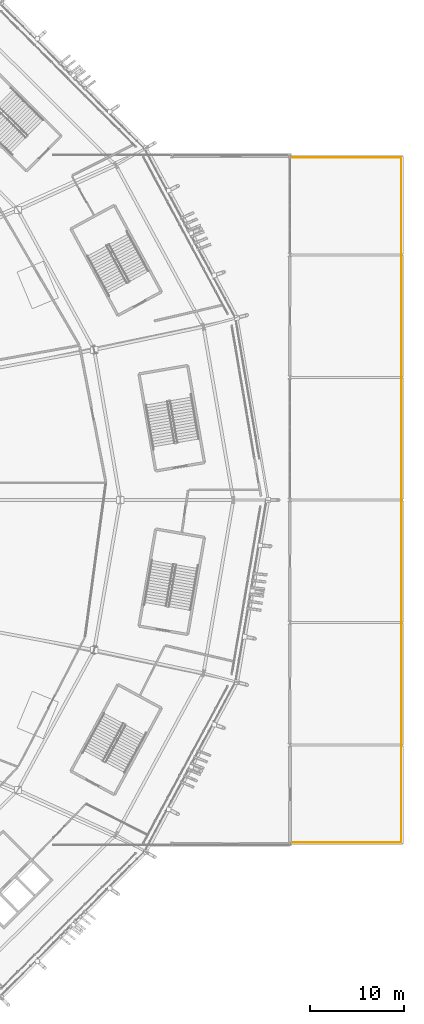
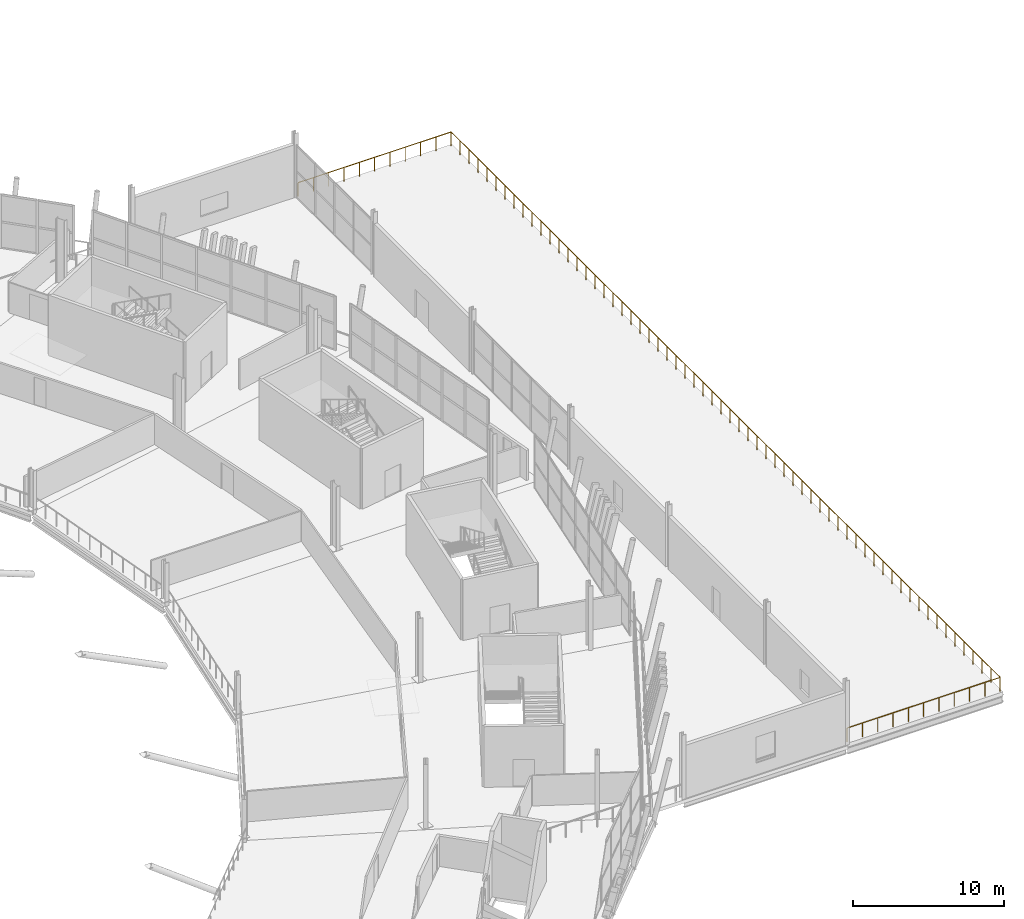
# One storey, part 160 of 168: 1 railing.
"""IFC4 building model written with IfcOpenShell, lengths in metres."""

from ifc_helpers import new_model, si_unit, direction, frame, origin, origin_2d, place, context, subcontext, project, spatial, rectangle, extrude, material, type_object, element, save


model = new_model("IFC4")

# Units and contexts
model_context = context("Model", 3, precision=1e-05, world=origin(), true_north=direction((0.0, 1.0)))
body_context = subcontext(model_context, "Body", "Model", "MODEL_VIEW")
ifc_project = project(units=[si_unit("LENGTHUNIT", "METRE"), si_unit("AREAUNIT", "SQUARE_METRE"), si_unit("VOLUMEUNIT", "CUBIC_METRE"), si_unit("PLANEANGLEUNIT", "RADIAN"), si_unit("MASSUNIT", "GRAM", prefix="KILO")], contexts=[model_context])

# Site, building, storey
site_placement = place(None, origin())
site = spatial("IfcSite", under=ifc_project, at=site_placement, CompositionType="ELEMENT")
building_placement = place(site_placement, origin())
building = spatial("IfcBuilding", under=site, at=building_placement, Name="Zlatoyarsky Gate Stadium", CompositionType="ELEMENT")
storey_placement = place(building_placement, frame((0.0, 0.0, 15.60009765625)))
storey = spatial("IfcBuildingStorey", under=building, at=storey_placement, Name="L03", CompositionType="ELEMENT", Elevation=15.60009765625)

# Railing
ifc_material = material(Name="Laminated safety glass and stainless steel balustrade", Category="steel")
railing_type = type_object("IfcRailingType", Name="LAMINATED GLASS AND STEEL TERRACE BALUSTRADE 1150", PredefinedType="BALUSTRADE", material=ifc_material)
railing_placement = place(storey_placement, frame((210.14990234375, 43.64990234375, 0.0)))
element("IfcRailing", 1, at=railing_placement, inside=storey, type_object=railing_type, Name="East L03 roof terrace perimeter balustrade", PredefinedType="BALUSTRADE", context=body_context, shape_type="SweptSolid", body=[
    extrude(rectangle(XDim=0.048095703125, YDim=0.048095703125, at=origin_2d()), frame((0.0, 0.0, 1.1259765625), z_axis=(1.0, 0.0, 0.0), x_axis=(0.0, 1.0, 0.0)), (0.0, 0.0, 1.0), 11.7001953125),
    extrude(rectangle(XDim=0.048095703125, YDim=0.048095703125, at=origin_2d()), frame((11.7001953125, 0.0, 1.1259765625), z_axis=(0.0, 1.0, 0.0), x_axis=(-1.0, 0.0, 0.0)), (0.0, 0.0, 1.0), 72.7001953125),
    extrude(rectangle(XDim=0.048095703125, YDim=0.048095703125, at=origin_2d()), frame((11.7001953125, 72.7001953125, 1.1259765625), z_axis=(-1.0, 0.0, 0.0), x_axis=(0.0, -1.0, 0.0)), (0.0, 0.0, 1.0), 11.7001953125),
    extrude(rectangle(XDim=0.0419921875, YDim=0.0419921875, at=origin_2d()), origin(), (0.0, 0.0, 1.0), 1.101806640625),
    extrude(rectangle(XDim=0.0419921875, YDim=0.0419921875, at=origin_2d()), frame((1.169921875, 0.0, 0.0)), (0.0, 0.0, 1.0), 1.101806640625),
    extrude(rectangle(XDim=0.0419921875, YDim=0.0419921875, at=origin_2d()), frame((2.340087890625, 0.0, 0.0)), (0.0, 0.0, 1.0), 1.101806640625),
    extrude(rectangle(XDim=0.0419921875, YDim=0.0419921875, at=origin_2d()), frame((3.510009765625, 0.0, 0.0)), (0.0, 0.0, 1.0), 1.101806640625),
    extrude(rectangle(XDim=0.0419921875, YDim=0.0419921875, at=origin_2d()), frame((4.68017578125, 0.0, 0.0)), (0.0, 0.0, 1.0), 1.101806640625),
    extrude(rectangle(XDim=0.0419921875, YDim=0.0419921875, at=origin_2d()), frame((5.85009765625, 0.0, 0.0)), (0.0, 0.0, 1.0), 1.101806640625),
    extrude(rectangle(XDim=0.0419921875, YDim=0.0419921875, at=origin_2d()), frame((7.02001953125, 0.0, 0.0)), (0.0, 0.0, 1.0), 1.101806640625),
    extrude(rectangle(XDim=0.0419921875, YDim=0.0419921875, at=origin_2d()), frame((8.190185546875, 0.0, 0.0)), (0.0, 0.0, 1.0), 1.101806640625),
    extrude(rectangle(XDim=0.0419921875, YDim=0.0419921875, at=origin_2d()), frame((9.360107421875, 0.0, 0.0)), (0.0, 0.0, 1.0), 1.101806640625),
    extrude(rectangle(XDim=0.0419921875, YDim=0.0419921875, at=origin_2d()), frame((10.5302734375, 0.0, 0.0)), (0.0, 0.0, 1.0), 1.101806640625),
    extrude(rectangle(XDim=0.0419921875, YDim=0.0419921875, at=origin_2d()), frame((11.7001953125, 0.0, 0.0)), (0.0, 0.0, 1.0), 1.101806640625),
    extrude(rectangle(XDim=0.0419921875, YDim=0.0419921875, at=origin_2d()), frame((11.7001953125, 1.19189453125, 0.0)), (0.0, 0.0, 1.0), 1.101806640625),
    extrude(rectangle(XDim=0.0419921875, YDim=0.0419921875, at=origin_2d()), frame((11.7001953125, 2.383544921875, 0.0)), (0.0, 0.0, 1.0), 1.101806640625),
    extrude(rectangle(XDim=0.0419921875, YDim=0.0419921875, at=origin_2d()), frame((11.7001953125, 3.575439453125, 0.0)), (0.0, 0.0, 1.0), 1.101806640625),
    extrude(rectangle(XDim=0.0419921875, YDim=0.0419921875, at=origin_2d()), frame((11.7001953125, 4.767333984375, 0.0)), (0.0, 0.0, 1.0), 1.101806640625),
    extrude(rectangle(XDim=0.0419921875, YDim=0.0419921875, at=origin_2d()), frame((11.7001953125, 5.958984375, 0.0)), (0.0, 0.0, 1.0), 1.101806640625),
    extrude(rectangle(XDim=0.0419921875, YDim=0.0419921875, at=origin_2d()), frame((11.7001953125, 7.15087890625, 0.0)), (0.0, 0.0, 1.0), 1.101806640625),
    extrude(rectangle(XDim=0.0419921875, YDim=0.0419921875, at=origin_2d()), frame((11.7001953125, 8.342529296875, 0.0)), (0.0, 0.0, 1.0), 1.101806640625),
    extrude(rectangle(XDim=0.0419921875, YDim=0.0419921875, at=origin_2d()), frame((11.7001953125, 9.534423828125, 0.0)), (0.0, 0.0, 1.0), 1.101806640625),
    extrude(rectangle(XDim=0.0419921875, YDim=0.0419921875, at=origin_2d()), frame((11.7001953125, 10.726318359375, 0.0)), (0.0, 0.0, 1.0), 1.101806640625),
    extrude(rectangle(XDim=0.0419921875, YDim=0.0419921875, at=origin_2d()), frame((11.7001953125, 11.91796875, 0.0)), (0.0, 0.0, 1.0), 1.101806640625),
    extrude(rectangle(XDim=0.0419921875, YDim=0.0419921875, at=origin_2d()), frame((11.7001953125, 13.10986328125, 0.0)), (0.0, 0.0, 1.0), 1.101806640625),
    extrude(rectangle(XDim=0.0419921875, YDim=0.0419921875, at=origin_2d()), frame((11.7001953125, 14.3017578125, 0.0)), (0.0, 0.0, 1.0), 1.101806640625),
    extrude(rectangle(XDim=0.0419921875, YDim=0.0419921875, at=origin_2d()), frame((11.7001953125, 15.493408203125, 0.0)), (0.0, 0.0, 1.0), 1.101806640625),
    extrude(rectangle(XDim=0.0419921875, YDim=0.0419921875, at=origin_2d()), frame((11.7001953125, 16.685302734375, 0.0)), (0.0, 0.0, 1.0), 1.101806640625),
    extrude(rectangle(XDim=0.0419921875, YDim=0.0419921875, at=origin_2d()), frame((11.7001953125, 17.877197265625, 0.0)), (0.0, 0.0, 1.0), 1.101806640625),
    extrude(rectangle(XDim=0.0419921875, YDim=0.0419921875, at=origin_2d()), frame((11.7001953125, 19.06884765625, 0.0)), (0.0, 0.0, 1.0), 1.101806640625),
    extrude(rectangle(XDim=0.0419921875, YDim=0.0419921875, at=origin_2d()), frame((11.7001953125, 20.2607421875, 0.0)), (0.0, 0.0, 1.0), 1.101806640625),
    extrude(rectangle(XDim=0.0419921875, YDim=0.0419921875, at=origin_2d()), frame((11.7001953125, 21.45263671875, 0.0)), (0.0, 0.0, 1.0), 1.101806640625),
    extrude(rectangle(XDim=0.0419921875, YDim=0.0419921875, at=origin_2d()), frame((11.7001953125, 22.644287109375, 0.0)), (0.0, 0.0, 1.0), 1.101806640625),
    extrude(rectangle(XDim=0.0419921875, YDim=0.0419921875, at=origin_2d()), frame((11.7001953125, 23.836181640625, 0.0)), (0.0, 0.0, 1.0), 1.101806640625),
    extrude(rectangle(XDim=0.0419921875, YDim=0.0419921875, at=origin_2d()), frame((11.7001953125, 25.02783203125, 0.0)), (0.0, 0.0, 1.0), 1.101806640625),
    extrude(rectangle(XDim=0.0419921875, YDim=0.0419921875, at=origin_2d()), frame((11.7001953125, 26.2197265625, 0.0)), (0.0, 0.0, 1.0), 1.101806640625),
    extrude(rectangle(XDim=0.0419921875, YDim=0.0419921875, at=origin_2d()), frame((11.7001953125, 27.41162109375, 0.0)), (0.0, 0.0, 1.0), 1.101806640625),
    extrude(rectangle(XDim=0.0419921875, YDim=0.0419921875, at=origin_2d()), frame((11.7001953125, 28.603271484375, 0.0)), (0.0, 0.0, 1.0), 1.101806640625),
    extrude(rectangle(XDim=0.0419921875, YDim=0.0419921875, at=origin_2d()), frame((11.7001953125, 29.795166015625, 0.0)), (0.0, 0.0, 1.0), 1.101806640625),
    extrude(rectangle(XDim=0.0419921875, YDim=0.0419921875, at=origin_2d()), frame((11.7001953125, 30.987060546875, 0.0)), (0.0, 0.0, 1.0), 1.101806640625),
    extrude(rectangle(XDim=0.0419921875, YDim=0.0419921875, at=origin_2d()), frame((11.7001953125, 32.1787109375, 0.0)), (0.0, 0.0, 1.0), 1.101806640625),
    extrude(rectangle(XDim=0.0419921875, YDim=0.0419921875, at=origin_2d()), frame((11.7001953125, 33.37060546875, 0.0)), (0.0, 0.0, 1.0), 1.101806640625),
    extrude(rectangle(XDim=0.0419921875, YDim=0.0419921875, at=origin_2d()), frame((11.7001953125, 34.5625, 0.0)), (0.0, 0.0, 1.0), 1.101806640625),
    extrude(rectangle(XDim=0.0419921875, YDim=0.0419921875, at=origin_2d()), frame((11.7001953125, 35.754150390625, 0.0)), (0.0, 0.0, 1.0), 1.101806640625),
    extrude(rectangle(XDim=0.0419921875, YDim=0.0419921875, at=origin_2d()), frame((11.7001953125, 36.946044921875, 0.0)), (0.0, 0.0, 1.0), 1.101806640625),
    extrude(rectangle(XDim=0.0419921875, YDim=0.0419921875, at=origin_2d()), frame((11.7001953125, 38.1376953125, 0.0)), (0.0, 0.0, 1.0), 1.101806640625),
    extrude(rectangle(XDim=0.0419921875, YDim=0.0419921875, at=origin_2d()), frame((11.7001953125, 39.32958984375, 0.0)), (0.0, 0.0, 1.0), 1.101806640625),
    extrude(rectangle(XDim=0.0419921875, YDim=0.0419921875, at=origin_2d()), frame((11.7001953125, 40.521484375, 0.0)), (0.0, 0.0, 1.0), 1.101806640625),
    extrude(rectangle(XDim=0.0419921875, YDim=0.0419921875, at=origin_2d()), frame((11.7001953125, 41.713134765625, 0.0)), (0.0, 0.0, 1.0), 1.101806640625),
    extrude(rectangle(XDim=0.0419921875, YDim=0.0419921875, at=origin_2d()), frame((11.7001953125, 42.905029296875, 0.0)), (0.0, 0.0, 1.0), 1.101806640625),
    extrude(rectangle(XDim=0.0419921875, YDim=0.0419921875, at=origin_2d()), frame((11.7001953125, 44.096923828125, 0.0)), (0.0, 0.0, 1.0), 1.101806640625),
    extrude(rectangle(XDim=0.0419921875, YDim=0.0419921875, at=origin_2d()), frame((11.7001953125, 45.28857421875, 0.0)), (0.0, 0.0, 1.0), 1.101806640625),
    extrude(rectangle(XDim=0.0419921875, YDim=0.0419921875, at=origin_2d()), frame((11.7001953125, 46.48046875, 0.0)), (0.0, 0.0, 1.0), 1.101806640625),
    extrude(rectangle(XDim=0.0419921875, YDim=0.0419921875, at=origin_2d()), frame((11.7001953125, 47.67236328125, 0.0)), (0.0, 0.0, 1.0), 1.101806640625),
    extrude(rectangle(XDim=0.0419921875, YDim=0.0419921875, at=origin_2d()), frame((11.7001953125, 48.864013671875, 0.0)), (0.0, 0.0, 1.0), 1.101806640625),
    extrude(rectangle(XDim=0.0419921875, YDim=0.0419921875, at=origin_2d()), frame((11.7001953125, 50.055908203125, 0.0)), (0.0, 0.0, 1.0), 1.101806640625),
    extrude(rectangle(XDim=0.0419921875, YDim=0.0419921875, at=origin_2d()), frame((11.7001953125, 51.24755859375, 0.0)), (0.0, 0.0, 1.0), 1.101806640625),
    extrude(rectangle(XDim=0.0419921875, YDim=0.0419921875, at=origin_2d()), frame((11.7001953125, 52.439453125, 0.0)), (0.0, 0.0, 1.0), 1.101806640625),
    extrude(rectangle(XDim=0.0419921875, YDim=0.0419921875, at=origin_2d()), frame((11.7001953125, 53.63134765625, 0.0)), (0.0, 0.0, 1.0), 1.101806640625),
    extrude(rectangle(XDim=0.0419921875, YDim=0.0419921875, at=origin_2d()), frame((11.7001953125, 54.822998046875, 0.0)), (0.0, 0.0, 1.0), 1.101806640625),
    extrude(rectangle(XDim=0.0419921875, YDim=0.0419921875, at=origin_2d()), frame((11.7001953125, 56.014892578125, 0.0)), (0.0, 0.0, 1.0), 1.101806640625),
    extrude(rectangle(XDim=0.0419921875, YDim=0.0419921875, at=origin_2d()), frame((11.7001953125, 57.206787109375, 0.0)), (0.0, 0.0, 1.0), 1.101806640625),
    extrude(rectangle(XDim=0.0419921875, YDim=0.0419921875, at=origin_2d()), frame((11.7001953125, 58.3984375, 0.0)), (0.0, 0.0, 1.0), 1.101806640625),
    extrude(rectangle(XDim=0.0419921875, YDim=0.0419921875, at=origin_2d()), frame((11.7001953125, 59.59033203125, 0.0)), (0.0, 0.0, 1.0), 1.101806640625),
    extrude(rectangle(XDim=0.0419921875, YDim=0.0419921875, at=origin_2d()), frame((11.7001953125, 60.7822265625, 0.0)), (0.0, 0.0, 1.0), 1.101806640625),
    extrude(rectangle(XDim=0.0419921875, YDim=0.0419921875, at=origin_2d()), frame((11.7001953125, 61.973876953125, 0.0)), (0.0, 0.0, 1.0), 1.101806640625),
    extrude(rectangle(XDim=0.0419921875, YDim=0.0419921875, at=origin_2d()), frame((11.7001953125, 63.165771484375, 0.0)), (0.0, 0.0, 1.0), 1.101806640625),
    extrude(rectangle(XDim=0.0419921875, YDim=0.0419921875, at=origin_2d()), frame((11.7001953125, 64.357666015625, 0.0)), (0.0, 0.0, 1.0), 1.101806640625),
    extrude(rectangle(XDim=0.0419921875, YDim=0.0419921875, at=origin_2d()), frame((11.7001953125, 65.54931640625, 0.0)), (0.0, 0.0, 1.0), 1.101806640625),
    extrude(rectangle(XDim=0.0419921875, YDim=0.0419921875, at=origin_2d()), frame((11.7001953125, 66.7412109375, 0.0)), (0.0, 0.0, 1.0), 1.101806640625),
    extrude(rectangle(XDim=0.0419921875, YDim=0.0419921875, at=origin_2d()), frame((11.7001953125, 67.932861328125, 0.0)), (0.0, 0.0, 1.0), 1.101806640625),
    extrude(rectangle(XDim=0.0419921875, YDim=0.0419921875, at=origin_2d()), frame((11.7001953125, 69.124755859375, 0.0)), (0.0, 0.0, 1.0), 1.101806640625),
    extrude(rectangle(XDim=0.0419921875, YDim=0.0419921875, at=origin_2d()), frame((11.7001953125, 70.316650390625, 0.0)), (0.0, 0.0, 1.0), 1.101806640625),
    extrude(rectangle(XDim=0.0419921875, YDim=0.0419921875, at=origin_2d()), frame((11.7001953125, 71.50830078125, 0.0)), (0.0, 0.0, 1.0), 1.101806640625),
    extrude(rectangle(XDim=0.0419921875, YDim=0.0419921875, at=origin_2d()), frame((11.7001953125, 72.7001953125, 0.0)), (0.0, 0.0, 1.0), 1.101806640625),
    extrude(rectangle(XDim=0.0419921875, YDim=0.0419921875, at=origin_2d()), frame((10.5302734375, 72.7001953125, 0.0)), (0.0, 0.0, 1.0), 1.101806640625),
    extrude(rectangle(XDim=0.0419921875, YDim=0.0419921875, at=origin_2d()), frame((9.360107421875, 72.7001953125, 0.0)), (0.0, 0.0, 1.0), 1.101806640625),
    extrude(rectangle(XDim=0.0419921875, YDim=0.0419921875, at=origin_2d()), frame((8.190185546875, 72.7001953125, 0.0)), (0.0, 0.0, 1.0), 1.101806640625),
    extrude(rectangle(XDim=0.0419921875, YDim=0.0419921875, at=origin_2d()), frame((7.02001953125, 72.7001953125, 0.0)), (0.0, 0.0, 1.0), 1.101806640625),
    extrude(rectangle(XDim=0.0419921875, YDim=0.0419921875, at=origin_2d()), frame((5.85009765625, 72.7001953125, 0.0)), (0.0, 0.0, 1.0), 1.101806640625),
    extrude(rectangle(XDim=0.0419921875, YDim=0.0419921875, at=origin_2d()), frame((4.68017578125, 72.7001953125, 0.0)), (0.0, 0.0, 1.0), 1.101806640625),
    extrude(rectangle(XDim=0.0419921875, YDim=0.0419921875, at=origin_2d()), frame((3.510009765625, 72.7001953125, 0.0)), (0.0, 0.0, 1.0), 1.101806640625),
    extrude(rectangle(XDim=0.0419921875, YDim=0.0419921875, at=origin_2d()), frame((2.340087890625, 72.7001953125, 0.0)), (0.0, 0.0, 1.0), 1.101806640625),
    extrude(rectangle(XDim=0.0419921875, YDim=0.0419921875, at=origin_2d()), frame((1.169921875, 72.7001953125, 0.0)), (0.0, 0.0, 1.0), 1.101806640625),
    extrude(rectangle(XDim=0.0419921875, YDim=0.0419921875, at=origin_2d()), frame((0.0, 72.7001953125, 0.0)), (0.0, 0.0, 1.0), 1.101806640625),
])

save(model, "model.ifc")
